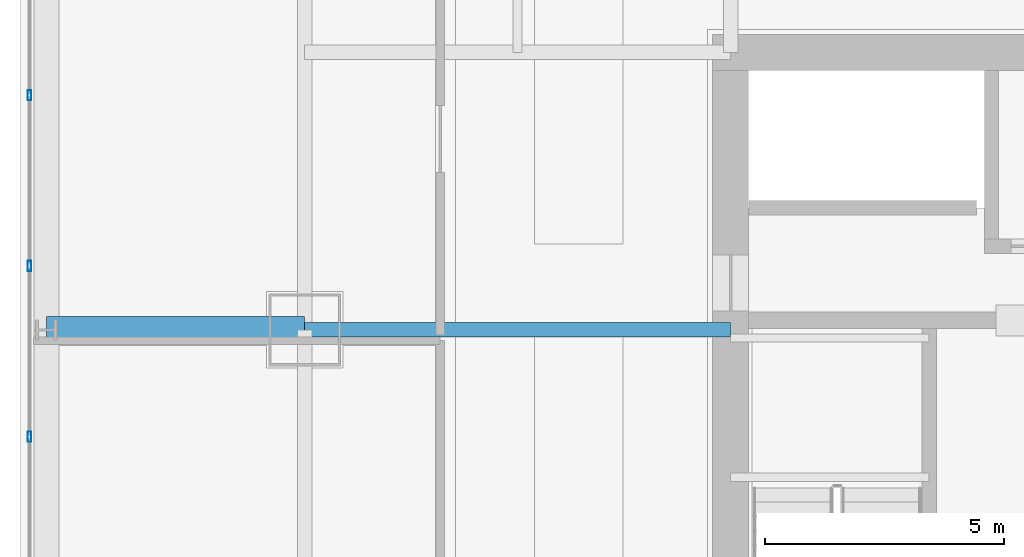
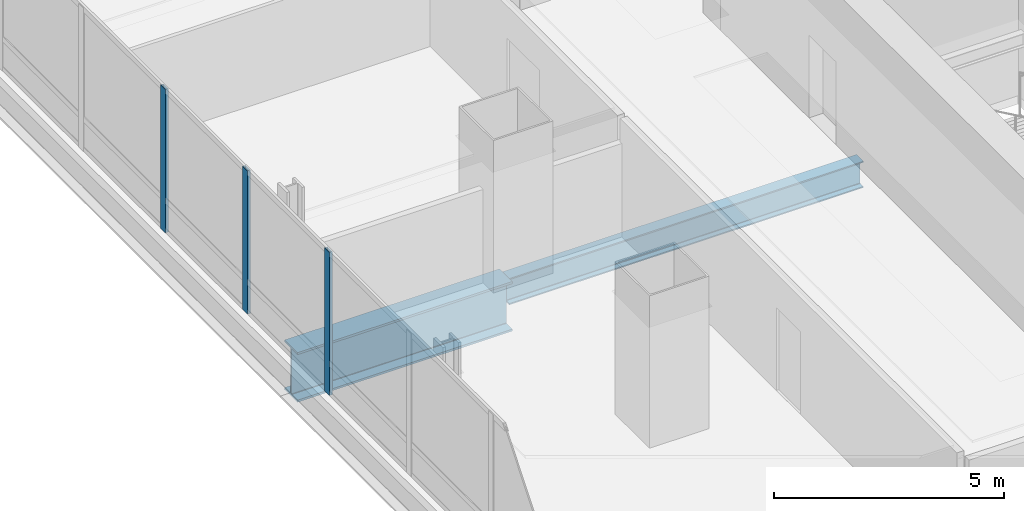
# One storey, part 10 of 37: 3 members, 2 beams, 1 element without a shape of its own.
"""IFC4 building model written with IfcOpenShell, lengths in metres."""

from ifc_helpers import new_model, si_unit, direction, frame, origin, origin_2d, place, context, subcontext, project, spatial, hollow_rectangle, i_section, extrude, material, material_profile, profile_set, type_object, element, aggregate, save


model = new_model("IFC4")

# Units and contexts
model_context = context("Model", 3, precision=1e-05, world=origin(), true_north=direction((0.0, 1.0)))
body_context = subcontext(model_context, "Body", "Model", "MODEL_VIEW")
ifc_project = project(units=[si_unit("LENGTHUNIT", "METRE"), si_unit("AREAUNIT", "SQUARE_METRE"), si_unit("VOLUMEUNIT", "CUBIC_METRE"), si_unit("PLANEANGLEUNIT", "RADIAN"), si_unit("MASSUNIT", "GRAM", prefix="KILO")], contexts=[model_context])

# Site, building, storey
site_placement = place(None, origin())
site = spatial("IfcSite", under=ifc_project, at=site_placement, CompositionType="ELEMENT")
building_placement = place(site_placement, origin())
building = spatial("IfcBuilding", under=site, at=building_placement, Name="Punatoya Terracotta Tower", CompositionType="ELEMENT")
storey_placement = place(building_placement, frame((0.0, 0.0, 44.39990234375)))
storey = spatial("IfcBuildingStorey", under=building, at=storey_placement, Name="L09", CompositionType="ELEMENT", Elevation=44.39990234375)

# Beams
ifc_material_1 = material(Name="Steel S355", Category="steel")
ifc_material_profile_1 = material_profile(ifc_material_1, i_section(OverallWidth=0.300048828125, OverallDepth=0.699951171875, WebThickness=0.01708984375, FlangeThickness=0.031982421875, FilletRadius=0.01806640625, at=origin_2d()))
ifc_profile_set_1 = profile_set([ifc_material_profile_1], Name="Steel S355")
beam_type_1 = type_object("IfcBeamType", Name="BM-PRI-700", PredefinedType="BEAM", material=ifc_profile_set_1)
beam_1_placement = place(storey_placement, frame((-19.10009765625, 3.39990234375, -0.58984375), z_axis=(1.0, 0.0, 0.0), x_axis=(0.0, 1.0, 0.0)))
element("IfcBeam", 1, at=beam_1_placement, inside=storey, type_object=beam_type_1, Name="BM-L09-PR-WE", PredefinedType="BEAM", context=body_context, shape_type="SweptSolid", body=[
    extrude(i_section(OverallWidth=0.300048828125, OverallDepth=0.699951171875, WebThickness=0.01708984375, FlangeThickness=0.031982421875, FilletRadius=0.01806640625, at=origin_2d()), origin(), (0.0, 0.0, 1.0), 8.900146484375),
])
ifc_material_2 = material(Name="Steel S460", Category="steel")
ifc_material_profile_2 = material_profile(ifc_material_2, i_section(OverallWidth=0.56005859375, OverallDepth=1.320068359375, WebThickness=0.035888671875, FlangeThickness=0.054931640625, FilletRadius=0.01806640625, at=origin_2d()))
ifc_profile_set_2 = profile_set([ifc_material_profile_2], Name="Steel S460")
beam_type_2 = type_object("IfcBeamType", Name="BM-TG-BLK", PredefinedType="BEAM", material=ifc_profile_set_2)
beam_2_placement = place(storey_placement, frame((-24.5, 3.39990234375, -0.89990234375), z_axis=(1.0, 0.0, 0.0), x_axis=(0.0, 1.0, 0.0)))
element("IfcBeam", 2, at=beam_2_placement, inside=storey, type_object=beam_type_2, Name="BM-L09-CANT-W3", PredefinedType="BEAM", context=body_context, shape_type="SweptSolid", body=[
    extrude(i_section(OverallWidth=0.56005859375, OverallDepth=1.320068359375, WebThickness=0.035888671875, FlangeThickness=0.054931640625, FilletRadius=0.01806640625, at=origin_2d()), origin(), (0.0, 0.0, 1.0), 5.39990234375),
])

# Curtain wall, members
ifc_material_3 = material(Name="Aluminium 6063-T6 + Double Low-E Glass", Category="aluminium")
curtain_wall_type = type_object("IfcCurtainWallType", Name="CW-M1", PredefinedType="NOTDEFINED", material=ifc_material_3)
curtain_wall_placement = place(storey_placement, origin())
curtain_wall = element("IfcCurtainWall", 3, at=curtain_wall_placement, inside=storey, type_object=curtain_wall_type, Name="L09 Curtain Wall CW-L09-W13-1", PredefinedType="NOTDEFINED")
ifc_material_4 = material(Name="Aluminium 6063-T6", Category="aluminium")
ifc_material_profile_3 = material_profile(ifc_material_4, hollow_rectangle(XDim=0.074951171875, YDim=0.2099609375, WallThickness=0.00439453125, at=origin_2d()))
ifc_profile_set_3 = profile_set([ifc_material_profile_3], Name="Aluminium 6063-T6")
member_type = type_object("IfcMemberType", Name="CW-MUL-M1", PredefinedType="MULLION", material=ifc_profile_set_3)
member_1_placement = place(storey_placement, frame((-24.85009765625, 8.302001953125, 0.0), z_axis=(0.0, 0.0, 1.0), x_axis=(1.0, 0.0, 0.0)))
member_1 = element("IfcMember", 4, at=member_1_placement, type_object=member_type, Name="CW-L09-W13-1 Mullion 02", PredefinedType="MULLION", context=body_context, shape_type="SweptSolid", body=[
    extrude(hollow_rectangle(XDim=0.074951171875, YDim=0.2099609375, WallThickness=0.00439453125, at=origin_2d()), origin(), (0.0, 0.0, 1.0), 3.81005859375),
])
member_2_placement = place(storey_placement, frame((-24.85009765625, 4.73486328125, 0.0), z_axis=(0.0, 0.0, 1.0), x_axis=(1.0, 0.0, 0.0)))
member_2 = element("IfcMember", 5, at=member_2_placement, type_object=member_type, Name="CW-L09-W13-1 Mullion 03", PredefinedType="MULLION", context=body_context, shape_type="SweptSolid", body=[
    extrude(hollow_rectangle(XDim=0.074951171875, YDim=0.2099609375, WallThickness=0.00439453125, at=origin_2d()), origin(), (0.0, 0.0, 1.0), 3.81005859375),
])
member_3_placement = place(storey_placement, frame((-24.85009765625, 1.16748046875, 0.0), z_axis=(0.0, 0.0, 1.0), x_axis=(1.0, 0.0, 0.0)))
member_3 = element("IfcMember", 6, at=member_3_placement, type_object=member_type, Name="CW-L09-W13-1 Mullion 04", PredefinedType="MULLION", context=body_context, shape_type="SweptSolid", body=[
    extrude(hollow_rectangle(XDim=0.074951171875, YDim=0.2099609375, WallThickness=0.00439453125, at=origin_2d()), origin(), (0.0, 0.0, 1.0), 3.81005859375),
])
aggregate(curtain_wall, [member_1, member_2, member_3])

save(model, "model.ifc")
